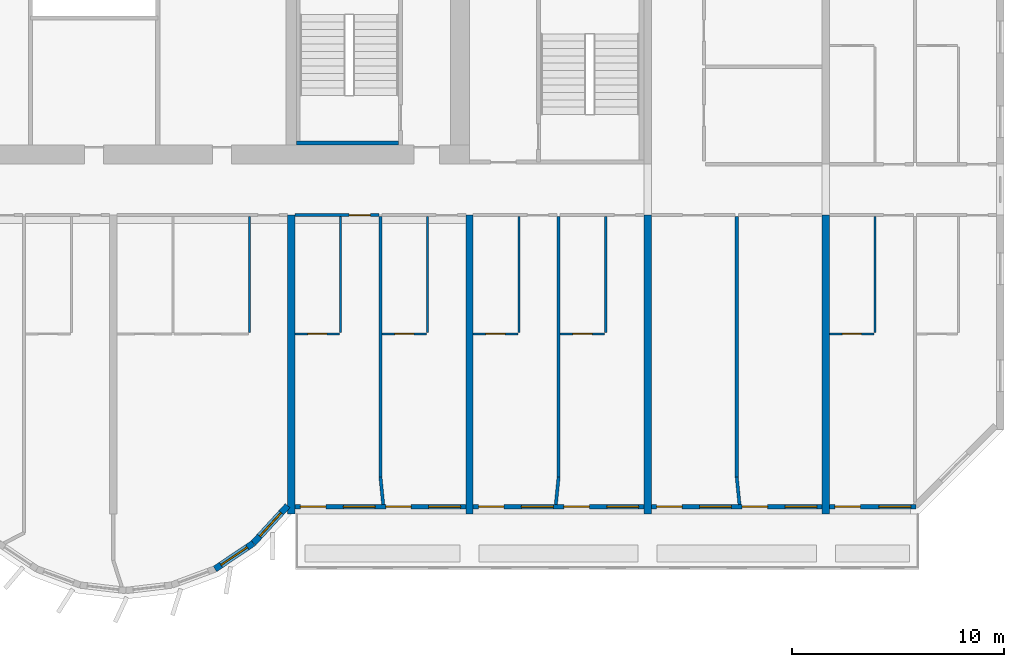
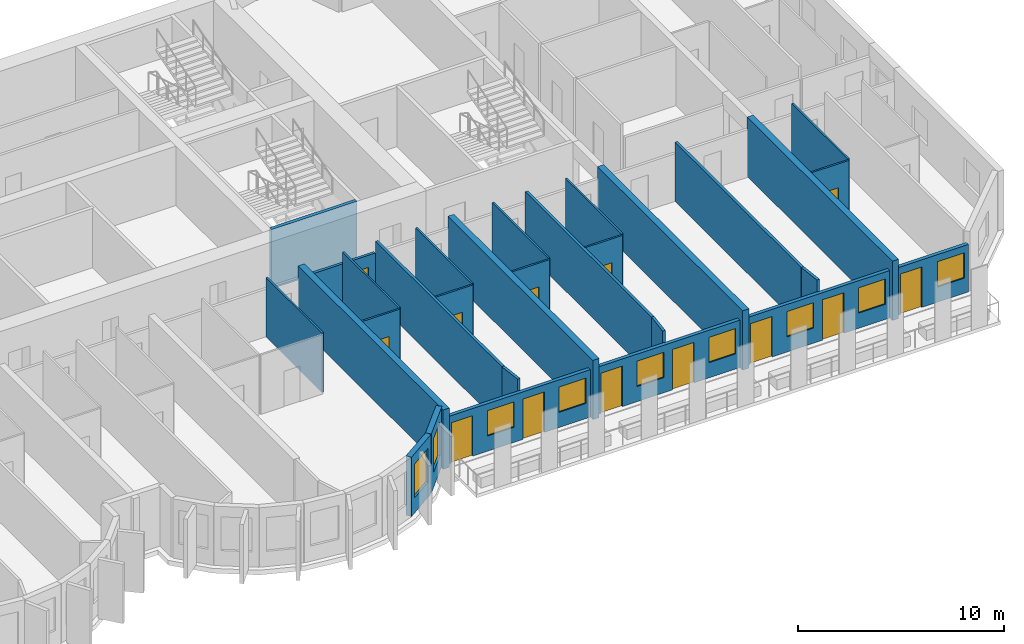
# One storey, part 8 of 14: 29 walls, 13 doors, 9 windows, 22 openings.
"""IFC4 building model written with IfcOpenShell, lengths in metres."""

from ifc_helpers import new_model, si_unit, direction, frame, frame_2d, origin, place, context, subcontext, project, spatial, rectangle, extrude, source, transform, mapped, material, layer, layer_set, type_object, element, fill, save


model = new_model("IFC4")

# Units and contexts
model_context = context("Model", 3, precision=1e-05, world=origin(), true_north=direction((0.0, 1.0)))
body_context = subcontext(model_context, "Body", "Model", "MODEL_VIEW")
ifc_project = project(units=[si_unit("LENGTHUNIT", "METRE"), si_unit("AREAUNIT", "SQUARE_METRE"), si_unit("VOLUMEUNIT", "CUBIC_METRE"), si_unit("PLANEANGLEUNIT", "RADIAN"), si_unit("MASSUNIT", "GRAM", prefix="KILO")], contexts=[model_context])

# Site, building, storey
site_placement = place(None, origin())
site = spatial("IfcSite", under=ifc_project, at=site_placement, CompositionType="ELEMENT")
building_placement = place(site_placement, origin())
building = spatial("IfcBuilding", under=site, at=building_placement, Name="Vanashikhar Sky Hotel", CompositionType="ELEMENT")
storey_placement = place(building_placement, frame((0.0, 0.0, 99.0)))
storey = spatial("IfcBuildingStorey", under=building, at=storey_placement, Name="L23", CompositionType="ELEMENT", Elevation=99.0)

# Walls
ifc_material_1 = material(Name="Concrete M70", Category="concrete")
ifc_layer_1 = layer(ifc_material_1, 0.35009765625)
ifc_layer_set_1 = layer_set([ifc_layer_1], Name="RC shear wall 350 Concrete M70")
wall_type_1 = type_object("IfcWallType", Name="RC shear wall 350 Concrete M70", PredefinedType="SHEAR", material=ifc_layer_set_1)
shared_shape_1 = source(origin(), body_context, "Body", "SweptSolid", [
    extrude(rectangle(XDim=14.10009765625, YDim=0.35009765625, at=frame_2d((7.050048828125, 0.0))), origin(), (0.0, 0.0, 1.0), 3.52001953125),
])
for number, where, z_axis, x_axis, name in (
    (1, (67.199951171875, 5.5, 0.0), (0.0, 0.0, 1.0), (0.0, 1.0, 0.0), "CW-L23-XW09-1"),
    (2, (75.60009765625, 5.5, 0.0), (0.0, 0.0, 1.0), (0.0, 1.0, 0.0), "CW-L23-XW10-1"),
    (3, (84.0, 5.5, 0.0), (0.0, 0.0, 1.0), (0.0, 1.0, 0.0), "CW-L23-XW11-1"),
    (4, (92.39990234375, 5.5, 0.0), (0.0, 0.0, 1.0), (0.0, 1.0, 0.0), "CW-L23-XW12-1"),
):
    element("IfcWall", number, at=place(storey_placement, frame(where, z_axis=z_axis, x_axis=x_axis)), inside=storey, type_object=wall_type_1, Name=name, PredefinedType="SHEAR", context=body_context, shape_type="MappedRepresentation", body=[
        mapped(shared_shape_1, transform((0.0, 0.0, 0.0), scale=1.0)),
    ])

# Wall, opening, window
ifc_material_2 = material(Name="Concrete M50", Category="concrete")
ifc_layer_2 = layer(ifc_material_2, 0.300048828125)
ifc_layer_set_2 = layer_set([ifc_layer_2], Name="Lobe wall 300")
wall_type_2 = type_object("IfcWallType", Name="Lobe wall 300", PredefinedType="SOLIDWALL", material=ifc_layer_set_2)
shared_shape_2 = source(origin(), body_context, "Body", "SweptSolid", [
    extrude(rectangle(XDim=2.398193359375, YDim=0.300048828125, at=frame_2d((1.19921875, 0.0))), origin(), (0.0, 0.0, 1.0), 3.52001953125),
])
wall_1_placement = place(storey_placement, frame((65.404296875, 4.13134765625, 0.0), z_axis=(0.0, 0.0, 1.0), x_axis=(0.675374189419, 0.737475222815, 0.0)))
wall_1 = element("IfcWall", 5, at=wall_1_placement, inside=storey, type_object=wall_type_2, Name="Lobe wall", PredefinedType="SOLIDWALL", context=body_context, shape_type="MappedRepresentation", body=[
    mapped(shared_shape_2, transform((0.0, 0.0, 0.0), scale=1.0)),
])
shared_shape_3 = source(origin(), body_context, "Body", "SweptSolid", [
    extrude(rectangle(XDim=1.5, YDim=2.0, at=frame_2d((0.75, 1.0))), frame((0.0, 0.16015625, 0.0), z_axis=(0.0, -1.0, 0.0), x_axis=(1.0, 0.0, 0.0)), (0.0, 0.0, 1.0), 0.320068359375),
])
opening_1_placement = place(wall_1_placement, frame((0.44921875, 0.0, 0.89990234375)))
opening_1 = element("IfcOpeningElement", 6, at=opening_1_placement, cuts=wall_1, Name="Opening WN-2", PredefinedType="OPENING", context=body_context, shape_type="MappedRepresentation", body=[
    mapped(shared_shape_3, transform((0.0, 0.0, 0.0), scale=1.0)),
])
ifc_material_3 = material(Name="Glass", Category="glass")
window_type_1 = type_object("IfcWindowType", Name="Lobe window 1500 x 2000", PartitioningType="SINGLE_PANEL", PredefinedType="WINDOW", material=ifc_material_3)
shared_shape_4 = source(origin(), body_context, "Body", "SweptSolid", [
    extrude(rectangle(XDim=1.5, YDim=2.0, at=frame_2d((0.75, 1.0))), frame((0.0, 0.030029296875, 0.0), z_axis=(0.0, -1.0, 0.0), x_axis=(1.0, 0.0, 0.0)), (0.0, 0.0, 1.0), 0.06005859375),
])
window_1_placement = place(opening_1_placement, origin())
window_1 = element("IfcWindow", 7, at=window_1_placement, inside=storey, type_object=window_type_1, Name="Window WN-2", OverallHeight=2.0, OverallWidth=1.5, PartitioningType="SINGLE_PANEL", PredefinedType="WINDOW", context=body_context, shape_type="MappedRepresentation", body=[
    mapped(shared_shape_4, transform((0.0, 0.0, 0.0), scale=1.0)),
])
fill(opening_1, window_1)

shared_shape_5 = source(origin(), body_context, "Body", "SweptSolid", [
    extrude(rectangle(XDim=2.17578125, YDim=0.300048828125, at=frame_2d((1.087890625, 0.0))), origin(), (0.0, 0.0, 1.0), 3.52001953125),
])
wall_2_placement = place(storey_placement, frame((63.59912109375, 2.91650390625, 0.0), z_axis=(0.0, 0.0, 1.0), x_axis=(0.829625727223, 0.558319937607, 0.0)))
wall_2 = element("IfcWall", 8, at=wall_2_placement, inside=storey, type_object=wall_type_2, Name="Lobe wall", PredefinedType="SOLIDWALL", context=body_context, shape_type="MappedRepresentation", body=[
    mapped(shared_shape_5, transform((0.0, 0.0, 0.0), scale=1.0)),
])
opening_2_placement = place(wall_2_placement, frame((0.337890625, 0.0, 0.89990234375)))
opening_2 = element("IfcOpeningElement", 9, at=opening_2_placement, cuts=wall_2, Name="Opening WN-2", PredefinedType="OPENING", context=body_context, shape_type="MappedRepresentation", body=[
    mapped(shared_shape_3, transform((0.0, 0.0, 0.0), scale=1.0)),
])
window_2_placement = place(opening_2_placement, origin())
window_2 = element("IfcWindow", 10, at=window_2_placement, inside=storey, type_object=window_type_1, Name="Window WN-2", OverallHeight=2.0, OverallWidth=1.5, PartitioningType="SINGLE_PANEL", PredefinedType="WINDOW", context=body_context, shape_type="MappedRepresentation", body=[
    mapped(shared_shape_4, transform((0.0, 0.0, 0.0), scale=1.0)),
])
fill(opening_2, window_2)

# Wall, openings, window, door
ifc_layer_3 = layer(ifc_material_2, 0.199951171875)
ifc_layer_set_3 = layer_set([ifc_layer_3], Name="Front window wall 200")
wall_type_3 = type_object("IfcWallType", Name="Front window wall 200", PredefinedType="SOLIDWALL", material=ifc_layer_set_3)
shared_shape_6 = source(origin(), body_context, "Body", "SweptSolid", [
    extrude(rectangle(XDim=4.080078125, YDim=0.199951171875, at=frame_2d((2.0400390625, 0.0))), origin(), (0.0, 0.0, 1.0), 2.820068359375),
])
wall_3_placement = place(storey_placement, frame((92.574951171875, 5.85009765625, 0.0), z_axis=(0.0, 0.0, 1.0), x_axis=(1.0, 0.0, 0.0)))
wall_3 = element("IfcWall", 11, at=wall_3_placement, inside=storey, type_object=wall_type_3, Name="Front window wall", PredefinedType="SOLIDWALL", context=body_context, shape_type="MappedRepresentation", body=[
    mapped(shared_shape_6, transform((0.0, 0.0, 0.0), scale=1.0)),
])
shared_shape_7 = source(origin(), body_context, "Body", "SweptSolid", [
    extrude(rectangle(XDim=1.199951171875, YDim=2.39990234375, at=frame_2d((0.60009765625, 1.199951171875))), frame((0.0, 0.10986328125, 0.0), z_axis=(0.0, -1.0, 0.0), x_axis=(1.0, 0.0, 0.0)), (0.0, 0.0, 1.0), 0.219970703125),
])
opening_3_placement = place(wall_3_placement, frame((0.25, 0.0, 0.0)))
opening_3 = element("IfcOpeningElement", 12, at=opening_3_placement, cuts=wall_3, Name="Opening BD-14", PredefinedType="OPENING", context=body_context, shape_type="MappedRepresentation", body=[
    mapped(shared_shape_7, transform((0.0, 0.0, 0.0), scale=1.0)),
])
shared_shape_8 = source(origin(), body_context, "Body", "SweptSolid", [
    extrude(rectangle(XDim=1.5, YDim=1.5, at=frame_2d((0.75, 0.75))), frame((0.0, 0.10986328125, 0.0), z_axis=(0.0, -1.0, 0.0), x_axis=(1.0, 0.0, 0.0)), (0.0, 0.0, 1.0), 0.219970703125),
])
opening_4_placement = place(wall_3_placement, frame((2.330078125, 0.0, 0.89990234375)))
opening_4 = element("IfcOpeningElement", 13, at=opening_4_placement, cuts=wall_3, Name="Opening WN-1", PredefinedType="OPENING", context=body_context, shape_type="MappedRepresentation", body=[
    mapped(shared_shape_8, transform((0.0, 0.0, 0.0), scale=1.0)),
])
window_type_2 = type_object("IfcWindowType", Name="Window 1500 x 1500", PartitioningType="SINGLE_PANEL", PredefinedType="WINDOW", material=ifc_material_3)
shared_shape_9 = source(origin(), body_context, "Body", "SweptSolid", [
    extrude(rectangle(XDim=1.5, YDim=1.5, at=frame_2d((0.75, 0.75))), frame((0.0, 0.030029296875, 0.0), z_axis=(0.0, -1.0, 0.0), x_axis=(1.0, 0.0, 0.0)), (0.0, 0.0, 1.0), 0.06005859375),
])
window_3_placement = place(opening_4_placement, origin())
window_3 = element("IfcWindow", 14, at=window_3_placement, inside=storey, type_object=window_type_2, Name="Window WN-1", OverallHeight=1.5, OverallWidth=1.5, PartitioningType="SINGLE_PANEL", PredefinedType="WINDOW", context=body_context, shape_type="MappedRepresentation", body=[
    mapped(shared_shape_9, transform((0.0, 0.0, 0.0), scale=1.0)),
])
fill(opening_4, window_3)
ifc_material_4 = material(Name="Aluminium", Category="aluminium")
door_type_1 = type_object("IfcDoorType", Name="Balcony sliding door 1200 x 2400", OperationType="NOTDEFINED", PredefinedType="DOOR", material=ifc_material_4)
shared_shape_10 = source(origin(), body_context, "Body", "SweptSolid", [
    extrude(rectangle(XDim=1.199951171875, YDim=2.39990234375, at=frame_2d((0.60009765625, 1.199951171875))), frame((0.0, 0.02490234375, 0.0), z_axis=(0.0, -1.0, 0.0), x_axis=(1.0, 0.0, 0.0)), (0.0, 0.0, 1.0), 0.050048828125),
])
door_1_placement = place(opening_3_placement, origin())
door_1 = element("IfcDoor", 15, at=door_1_placement, inside=storey, type_object=door_type_1, Name="Balcony sliding door", OperationType="SLIDING_TO_RIGHT", OverallHeight=2.39990234375, OverallWidth=1.199951171875, PredefinedType="DOOR", context=body_context, shape_type="MappedRepresentation", body=[
    mapped(shared_shape_10, transform((0.0, 0.0, 0.0), scale=1.0)),
])
fill(opening_3, door_1)

# Wall, openings, windows, doors
shared_shape_11 = source(origin(), body_context, "Body", "SweptSolid", [
    extrude(rectangle(XDim=8.050048828125, YDim=0.199951171875, at=frame_2d((4.02490234375, 0.0))), origin(), (0.0, 0.0, 1.0), 2.820068359375),
])
wall_4_placement = place(storey_placement, frame((67.375, 5.85009765625, 0.0), z_axis=(0.0, 0.0, 1.0), x_axis=(1.0, 0.0, 0.0)))
wall_4 = element("IfcWall", 16, at=wall_4_placement, inside=storey, type_object=wall_type_3, Name="Front window wall", PredefinedType="SOLIDWALL", context=body_context, shape_type="MappedRepresentation", body=[
    mapped(shared_shape_11, transform((0.0, 0.0, 0.0), scale=1.0)),
])
opening_5_placement = place(wall_4_placement, frame((0.25, 0.0, 0.0)))
opening_5 = element("IfcOpeningElement", 17, at=opening_5_placement, cuts=wall_4, Name="Opening BD-08", PredefinedType="OPENING", context=body_context, shape_type="MappedRepresentation", body=[
    mapped(shared_shape_7, transform((0.0, 0.0, 0.0), scale=1.0)),
])
opening_6_placement = place(wall_4_placement, frame((2.27490234375, 0.0, 0.89990234375)))
opening_6 = element("IfcOpeningElement", 18, at=opening_6_placement, cuts=wall_4, Name="Opening WN-1", PredefinedType="OPENING", context=body_context, shape_type="MappedRepresentation", body=[
    mapped(shared_shape_8, transform((0.0, 0.0, 0.0), scale=1.0)),
])
opening_7_placement = place(wall_4_placement, frame((4.27490234375, 0.0, 0.0)))
opening_7 = element("IfcOpeningElement", 19, at=opening_7_placement, cuts=wall_4, Name="Opening BD-09", PredefinedType="OPENING", context=body_context, shape_type="MappedRepresentation", body=[
    mapped(shared_shape_7, transform((0.0, 0.0, 0.0), scale=1.0)),
])
opening_8_placement = place(wall_4_placement, frame((6.300048828125, 0.0, 0.89990234375)))
opening_8 = element("IfcOpeningElement", 20, at=opening_8_placement, cuts=wall_4, Name="Opening WN-1", PredefinedType="OPENING", context=body_context, shape_type="MappedRepresentation", body=[
    mapped(shared_shape_8, transform((0.0, 0.0, 0.0), scale=1.0)),
])
window_4_placement = place(opening_6_placement, origin())
window_4 = element("IfcWindow", 21, at=window_4_placement, inside=storey, type_object=window_type_2, Name="Window WN-1", OverallHeight=1.5, OverallWidth=1.5, PartitioningType="SINGLE_PANEL", PredefinedType="WINDOW", context=body_context, shape_type="MappedRepresentation", body=[
    mapped(shared_shape_9, transform((0.0, 0.0, 0.0), scale=1.0)),
])
fill(opening_6, window_4)
window_5_placement = place(opening_8_placement, origin())
window_5 = element("IfcWindow", 22, at=window_5_placement, inside=storey, type_object=window_type_2, Name="Window WN-1", OverallHeight=1.5, OverallWidth=1.5, PartitioningType="SINGLE_PANEL", PredefinedType="WINDOW", context=body_context, shape_type="MappedRepresentation", body=[
    mapped(shared_shape_9, transform((0.0, 0.0, 0.0), scale=1.0)),
])
fill(opening_8, window_5)
door_2_placement = place(opening_5_placement, origin())
door_2 = element("IfcDoor", 23, at=door_2_placement, inside=storey, type_object=door_type_1, Name="Balcony sliding door", OperationType="SLIDING_TO_RIGHT", OverallHeight=2.39990234375, OverallWidth=1.199951171875, PredefinedType="DOOR", context=body_context, shape_type="MappedRepresentation", body=[
    mapped(shared_shape_10, transform((0.0, 0.0, 0.0), scale=1.0)),
])
fill(opening_5, door_2)
door_3_placement = place(opening_7_placement, origin())
door_3 = element("IfcDoor", 24, at=door_3_placement, inside=storey, type_object=door_type_1, Name="Balcony sliding door", OperationType="SLIDING_TO_LEFT", OverallHeight=2.39990234375, OverallWidth=1.199951171875, PredefinedType="DOOR", context=body_context, shape_type="MappedRepresentation", body=[
    mapped(shared_shape_10, transform((0.0, 0.0, 0.0), scale=1.0)),
])
fill(opening_7, door_3)

wall_5_placement = place(storey_placement, frame((75.77490234375, 5.85009765625, 0.0), z_axis=(0.0, 0.0, 1.0), x_axis=(1.0, 0.0, 0.0)))
wall_5 = element("IfcWall", 25, at=wall_5_placement, inside=storey, type_object=wall_type_3, Name="Front window wall", PredefinedType="SOLIDWALL", context=body_context, shape_type="MappedRepresentation", body=[
    mapped(shared_shape_11, transform((0.0, 0.0, 0.0), scale=1.0)),
])
opening_9_placement = place(wall_5_placement, frame((0.25, 0.0, 0.0)))
opening_9 = element("IfcOpeningElement", 26, at=opening_9_placement, cuts=wall_5, Name="Opening BD-10", PredefinedType="OPENING", context=body_context, shape_type="MappedRepresentation", body=[
    mapped(shared_shape_7, transform((0.0, 0.0, 0.0), scale=1.0)),
])
opening_10_placement = place(wall_5_placement, frame((2.27490234375, 0.0, 0.89990234375)))
opening_10 = element("IfcOpeningElement", 27, at=opening_10_placement, cuts=wall_5, Name="Opening WN-1", PredefinedType="OPENING", context=body_context, shape_type="MappedRepresentation", body=[
    mapped(shared_shape_8, transform((0.0, 0.0, 0.0), scale=1.0)),
])
opening_11_placement = place(wall_5_placement, frame((4.27490234375, 0.0, 0.0)))
opening_11 = element("IfcOpeningElement", 28, at=opening_11_placement, cuts=wall_5, Name="Opening BD-11", PredefinedType="OPENING", context=body_context, shape_type="MappedRepresentation", body=[
    mapped(shared_shape_7, transform((0.0, 0.0, 0.0), scale=1.0)),
])
opening_12_placement = place(wall_5_placement, frame((6.300048828125, 0.0, 0.89990234375)))
opening_12 = element("IfcOpeningElement", 29, at=opening_12_placement, cuts=wall_5, Name="Opening WN-1", PredefinedType="OPENING", context=body_context, shape_type="MappedRepresentation", body=[
    mapped(shared_shape_8, transform((0.0, 0.0, 0.0), scale=1.0)),
])
window_6_placement = place(opening_10_placement, origin())
window_6 = element("IfcWindow", 30, at=window_6_placement, inside=storey, type_object=window_type_2, Name="Window WN-1", OverallHeight=1.5, OverallWidth=1.5, PartitioningType="SINGLE_PANEL", PredefinedType="WINDOW", context=body_context, shape_type="MappedRepresentation", body=[
    mapped(shared_shape_9, transform((0.0, 0.0, 0.0), scale=1.0)),
])
fill(opening_10, window_6)
window_7_placement = place(opening_12_placement, origin())
window_7 = element("IfcWindow", 31, at=window_7_placement, inside=storey, type_object=window_type_2, Name="Window WN-1", OverallHeight=1.5, OverallWidth=1.5, PartitioningType="SINGLE_PANEL", PredefinedType="WINDOW", context=body_context, shape_type="MappedRepresentation", body=[
    mapped(shared_shape_9, transform((0.0, 0.0, 0.0), scale=1.0)),
])
fill(opening_12, window_7)
door_4_placement = place(opening_9_placement, origin())
door_4 = element("IfcDoor", 32, at=door_4_placement, inside=storey, type_object=door_type_1, Name="Balcony sliding door", OperationType="SLIDING_TO_RIGHT", OverallHeight=2.39990234375, OverallWidth=1.199951171875, PredefinedType="DOOR", context=body_context, shape_type="MappedRepresentation", body=[
    mapped(shared_shape_10, transform((0.0, 0.0, 0.0), scale=1.0)),
])
fill(opening_9, door_4)
door_5_placement = place(opening_11_placement, origin())
door_5 = element("IfcDoor", 33, at=door_5_placement, inside=storey, type_object=door_type_1, Name="Balcony sliding door", OperationType="SLIDING_TO_LEFT", OverallHeight=2.39990234375, OverallWidth=1.199951171875, PredefinedType="DOOR", context=body_context, shape_type="MappedRepresentation", body=[
    mapped(shared_shape_10, transform((0.0, 0.0, 0.0), scale=1.0)),
])
fill(opening_11, door_5)

wall_6_placement = place(storey_placement, frame((84.175048828125, 5.85009765625, 0.0), z_axis=(0.0, 0.0, 1.0), x_axis=(1.0, 0.0, 0.0)))
wall_6 = element("IfcWall", 34, at=wall_6_placement, inside=storey, type_object=wall_type_3, Name="Front window wall", PredefinedType="SOLIDWALL", context=body_context, shape_type="MappedRepresentation", body=[
    mapped(shared_shape_11, transform((0.0, 0.0, 0.0), scale=1.0)),
])
opening_13_placement = place(wall_6_placement, frame((0.25, 0.0, 0.0)))
opening_13 = element("IfcOpeningElement", 35, at=opening_13_placement, cuts=wall_6, Name="Opening BD-12", PredefinedType="OPENING", context=body_context, shape_type="MappedRepresentation", body=[
    mapped(shared_shape_7, transform((0.0, 0.0, 0.0), scale=1.0)),
])
opening_14_placement = place(wall_6_placement, frame((2.27490234375, 0.0, 0.89990234375)))
opening_14 = element("IfcOpeningElement", 36, at=opening_14_placement, cuts=wall_6, Name="Opening WN-1", PredefinedType="OPENING", context=body_context, shape_type="MappedRepresentation", body=[
    mapped(shared_shape_8, transform((0.0, 0.0, 0.0), scale=1.0)),
])
opening_15_placement = place(wall_6_placement, frame((4.27490234375, 0.0, 0.0)))
opening_15 = element("IfcOpeningElement", 37, at=opening_15_placement, cuts=wall_6, Name="Opening BD-13", PredefinedType="OPENING", context=body_context, shape_type="MappedRepresentation", body=[
    mapped(shared_shape_7, transform((0.0, 0.0, 0.0), scale=1.0)),
])
opening_16_placement = place(wall_6_placement, frame((6.300048828125, 0.0, 0.89990234375)))
opening_16 = element("IfcOpeningElement", 38, at=opening_16_placement, cuts=wall_6, Name="Opening WN-1", PredefinedType="OPENING", context=body_context, shape_type="MappedRepresentation", body=[
    mapped(shared_shape_8, transform((0.0, 0.0, 0.0), scale=1.0)),
])
window_8_placement = place(opening_14_placement, origin())
window_8 = element("IfcWindow", 39, at=window_8_placement, inside=storey, type_object=window_type_2, Name="Window WN-1", OverallHeight=1.5, OverallWidth=1.5, PartitioningType="SINGLE_PANEL", PredefinedType="WINDOW", context=body_context, shape_type="MappedRepresentation", body=[
    mapped(shared_shape_9, transform((0.0, 0.0, 0.0), scale=1.0)),
])
fill(opening_14, window_8)
window_9_placement = place(opening_16_placement, origin())
window_9 = element("IfcWindow", 40, at=window_9_placement, inside=storey, type_object=window_type_2, Name="Window WN-1", OverallHeight=1.5, OverallWidth=1.5, PartitioningType="SINGLE_PANEL", PredefinedType="WINDOW", context=body_context, shape_type="MappedRepresentation", body=[
    mapped(shared_shape_9, transform((0.0, 0.0, 0.0), scale=1.0)),
])
fill(opening_16, window_9)
door_6_placement = place(opening_13_placement, origin())
door_6 = element("IfcDoor", 41, at=door_6_placement, inside=storey, type_object=door_type_1, Name="Balcony sliding door", OperationType="SLIDING_TO_RIGHT", OverallHeight=2.39990234375, OverallWidth=1.199951171875, PredefinedType="DOOR", context=body_context, shape_type="MappedRepresentation", body=[
    mapped(shared_shape_10, transform((0.0, 0.0, 0.0), scale=1.0)),
])
fill(opening_13, door_6)
door_7_placement = place(opening_15_placement, origin())
door_7 = element("IfcDoor", 42, at=door_7_placement, inside=storey, type_object=door_type_1, Name="Balcony sliding door", OperationType="SLIDING_TO_LEFT", OverallHeight=2.39990234375, OverallWidth=1.199951171875, PredefinedType="DOOR", context=body_context, shape_type="MappedRepresentation", body=[
    mapped(shared_shape_10, transform((0.0, 0.0, 0.0), scale=1.0)),
])
fill(opening_15, door_7)

# Walls
ifc_layer_4 = layer(ifc_material_2, 0.199951171875)
ifc_layer_set_4 = layer_set([ifc_layer_4], Name="Stair infill wall 200")
wall_type_4 = type_object("IfcWallType", Name="Stair infill wall 200", PredefinedType="SOLIDWALL", material=ifc_layer_set_4)
shared_shape_12 = source(origin(), body_context, "Body", "SweptSolid", [
    extrude(rectangle(XDim=4.800048828125, YDim=0.199951171875, at=frame_2d((2.39990234375, 0.0))), origin(), (0.0, 0.0, 1.0), 3.52001953125),
])
wall_7_placement = place(storey_placement, frame((67.449951171875, 23.0, 0.0), z_axis=(0.0, 0.0, 1.0), x_axis=(1.0, 0.0, 0.0)))
element("IfcWall", 43, at=wall_7_placement, inside=storey, type_object=wall_type_4, Name="Stair infill wall 200", PredefinedType="SOLIDWALL", context=body_context, shape_type="MappedRepresentation", body=[
    mapped(shared_shape_12, transform((0.0, 0.0, 0.0), scale=1.0)),
])
ifc_material_5 = material(Name="Gypsum plasterboard partition")
ifc_layer_5 = layer(ifc_material_5, 0.10009765625)
ifc_layer_set_5 = layer_set([ifc_layer_5], Name="Wet room partition 100")
wall_type_5 = type_object("IfcWallType", Name="Wet room partition 100", PredefinedType="PARTITIONING", material=ifc_layer_set_5)
shared_shape_13 = source(origin(), body_context, "Body", "SweptSolid", [
    extrude(rectangle(XDim=5.449951171875, YDim=0.10009765625, at=frame_2d((2.72509765625, 0.0))), origin(), (0.0, 0.0, 1.0), 3.52001953125),
])
for number, where, z_axis, x_axis, name in (
    (44, (65.22509765625, 14.074951171875, 0.0), (0.0, 0.0, 1.0), (0.0, 1.0, 0.0), "W-L23-PW042"),
    (45, (69.52490234375, 14.074951171875, 0.0), (0.0, 0.0, 1.0), (0.0, 1.0, 0.0), "W-L23-PW047"),
    (46, (73.625, 14.074951171875, 0.0), (0.0, 0.0, 1.0), (0.0, 1.0, 0.0), "W-L23-PW050"),
    (47, (77.925048828125, 14.074951171875, 0.0), (0.0, 0.0, 1.0), (0.0, 1.0, 0.0), "W-L23-PW054"),
    (48, (82.02490234375, 14.074951171875, 0.0), (0.0, 0.0, 1.0), (0.0, 1.0, 0.0), "W-L23-PW057"),
    (49, (94.72509765625, 14.074951171875, 0.0), (0.0, 0.0, 1.0), (0.0, 1.0, 0.0), "W-L23-PW064"),
):
    element("IfcWall", number, at=place(storey_placement, frame(where, z_axis=z_axis, x_axis=x_axis)), inside=storey, type_object=wall_type_5, Name=name, PredefinedType="PARTITIONING", context=body_context, shape_type="MappedRepresentation", body=[
        mapped(shared_shape_13, transform((0.0, 0.0, 0.0), scale=1.0)),
    ])

# Wall, opening, door
shared_shape_14 = source(origin(), body_context, "Body", "SweptSolid", [
    extrude(rectangle(XDim=2.10009765625, YDim=0.10009765625, at=frame_2d((1.050048828125, 0.0))), origin(), (0.0, 0.0, 1.0), 3.52001953125),
])
wall_8_placement = place(storey_placement, frame((67.375, 14.0, 0.0), z_axis=(0.0, 0.0, 1.0), x_axis=(1.0, 0.0, 0.0)))
wall_8 = element("IfcWall", 50, at=wall_8_placement, inside=storey, type_object=wall_type_5, Name="W-L23-PW048", PredefinedType="PARTITIONING", context=body_context, shape_type="MappedRepresentation", body=[
    mapped(shared_shape_14, transform((0.0, 0.0, 0.0), scale=1.0)),
])
shared_shape_15 = source(origin(), body_context, "Body", "SweptSolid", [
    extrude(rectangle(XDim=0.89990234375, YDim=2.10009765625, at=frame_2d((0.449951171875, 1.050048828125))), frame((0.0, 0.06005859375, 0.0), z_axis=(0.0, -1.0, 0.0), x_axis=(1.0, 0.0, 0.0)), (0.0, 0.0, 1.0), 0.1201171875),
])
opening_17_placement = place(wall_8_placement, frame((0.60009765625, 0.0, 0.0)))
opening_17 = element("IfcOpeningElement", 51, at=opening_17_placement, cuts=wall_8, Name="Opening D-02", PredefinedType="OPENING", context=body_context, shape_type="MappedRepresentation", body=[
    mapped(shared_shape_15, transform((0.0, 0.0, 0.0), scale=1.0)),
])
ifc_material_6 = material(Name="Timber door", Category="wood")
door_type_2 = type_object("IfcDoorType", Name="Internal door 900", OperationType="NOTDEFINED", PredefinedType="DOOR", material=ifc_material_6)
shared_shape_16 = source(origin(), body_context, "Body", "SweptSolid", [
    extrude(rectangle(XDim=0.89990234375, YDim=2.10009765625, at=frame_2d((0.449951171875, 1.050048828125))), frame((0.0, 0.02490234375, 0.0), z_axis=(0.0, -1.0, 0.0), x_axis=(1.0, 0.0, 0.0)), (0.0, 0.0, 1.0), 0.050048828125),
])
door_8_placement = place(opening_17_placement, origin())
door_8 = element("IfcDoor", 52, at=door_8_placement, inside=storey, type_object=door_type_2, Name="D-L23-028", OperationType="SINGLE_SWING_RIGHT", OverallHeight=2.10009765625, OverallWidth=0.89990234375, PredefinedType="DOOR", context=body_context, shape_type="MappedRepresentation", body=[
    mapped(shared_shape_16, transform((0.0, 0.0, 0.0), scale=1.0)),
])
fill(opening_17, door_8)

wall_9_placement = place(storey_placement, frame((75.77490234375, 14.0, 0.0), z_axis=(0.0, 0.0, 1.0), x_axis=(1.0, 0.0, 0.0)))
wall_9 = element("IfcWall", 53, at=wall_9_placement, inside=storey, type_object=wall_type_5, Name="W-L23-PW055", PredefinedType="PARTITIONING", context=body_context, shape_type="MappedRepresentation", body=[
    mapped(shared_shape_14, transform((0.0, 0.0, 0.0), scale=1.0)),
])
opening_18_placement = place(wall_9_placement, frame((0.60009765625, 0.0, 0.0)))
opening_18 = element("IfcOpeningElement", 54, at=opening_18_placement, cuts=wall_9, Name="Opening D-02", PredefinedType="OPENING", context=body_context, shape_type="MappedRepresentation", body=[
    mapped(shared_shape_15, transform((0.0, 0.0, 0.0), scale=1.0)),
])
door_9_placement = place(opening_18_placement, origin())
door_9 = element("IfcDoor", 55, at=door_9_placement, inside=storey, type_object=door_type_2, Name="D-L23-032", OperationType="SINGLE_SWING_RIGHT", OverallHeight=2.10009765625, OverallWidth=0.89990234375, PredefinedType="DOOR", context=body_context, shape_type="MappedRepresentation", body=[
    mapped(shared_shape_16, transform((0.0, 0.0, 0.0), scale=1.0)),
])
fill(opening_18, door_9)

wall_10_placement = place(storey_placement, frame((79.875, 14.0, 0.0), z_axis=(0.0, 0.0, 1.0), x_axis=(1.0, 0.0, 0.0)))
wall_10 = element("IfcWall", 56, at=wall_10_placement, inside=storey, type_object=wall_type_5, Name="W-L23-PW058", PredefinedType="PARTITIONING", context=body_context, shape_type="MappedRepresentation", body=[
    mapped(shared_shape_14, transform((0.0, 0.0, 0.0), scale=1.0)),
])
opening_19_placement = place(wall_10_placement, frame((0.60009765625, 0.0, 0.0)))
opening_19 = element("IfcOpeningElement", 57, at=opening_19_placement, cuts=wall_10, Name="Opening D-02", PredefinedType="OPENING", context=body_context, shape_type="MappedRepresentation", body=[
    mapped(shared_shape_15, transform((0.0, 0.0, 0.0), scale=1.0)),
])
door_10_placement = place(opening_19_placement, origin())
door_10 = element("IfcDoor", 58, at=door_10_placement, inside=storey, type_object=door_type_2, Name="D-L23-034", OperationType="SINGLE_SWING_RIGHT", OverallHeight=2.10009765625, OverallWidth=0.89990234375, PredefinedType="DOOR", context=body_context, shape_type="MappedRepresentation", body=[
    mapped(shared_shape_16, transform((0.0, 0.0, 0.0), scale=1.0)),
])
fill(opening_19, door_10)

wall_11_placement = place(storey_placement, frame((92.574951171875, 14.0, 0.0), z_axis=(0.0, 0.0, 1.0), x_axis=(1.0, 0.0, 0.0)))
wall_11 = element("IfcWall", 59, at=wall_11_placement, inside=storey, type_object=wall_type_5, Name="W-L23-PW065", PredefinedType="PARTITIONING", context=body_context, shape_type="MappedRepresentation", body=[
    mapped(shared_shape_14, transform((0.0, 0.0, 0.0), scale=1.0)),
])
opening_20_placement = place(wall_11_placement, frame((0.60009765625, 0.0, 0.0)))
opening_20 = element("IfcOpeningElement", 60, at=opening_20_placement, cuts=wall_11, Name="Opening D-02", PredefinedType="OPENING", context=body_context, shape_type="MappedRepresentation", body=[
    mapped(shared_shape_15, transform((0.0, 0.0, 0.0), scale=1.0)),
])
door_11_placement = place(opening_20_placement, origin())
door_11 = element("IfcDoor", 61, at=door_11_placement, inside=storey, type_object=door_type_2, Name="D-L23-038", OperationType="SINGLE_SWING_RIGHT", OverallHeight=2.10009765625, OverallWidth=0.89990234375, PredefinedType="DOOR", context=body_context, shape_type="MappedRepresentation", body=[
    mapped(shared_shape_16, transform((0.0, 0.0, 0.0), scale=1.0)),
])
fill(opening_20, door_11)

ifc_layer_6 = layer(ifc_material_5, 0.14990234375)
ifc_layer_set_6 = layer_set([ifc_layer_6], Name="Corridor and demising partition 150")
wall_type_6 = type_object("IfcWallType", Name="Corridor and demising partition 150", PredefinedType="PARTITIONING", material=ifc_layer_set_6)
shared_shape_17 = source(origin(), body_context, "Body", "SweptSolid", [
    extrude(rectangle(XDim=3.949951171875, YDim=0.14990234375, at=frame_2d((1.97509765625, 0.0))), origin(), (0.0, 0.0, 1.0), 2.820068359375),
])
wall_12_placement = place(storey_placement, frame((67.375, 19.60009765625, 0.0), z_axis=(0.0, 0.0, 1.0), x_axis=(1.0, 0.0, 0.0)))
wall_12 = element("IfcWall", 62, at=wall_12_placement, inside=storey, type_object=wall_type_6, Name="W-L23-PW049", PredefinedType="PARTITIONING", context=body_context, shape_type="MappedRepresentation", body=[
    mapped(shared_shape_17, transform((0.0, 0.0, 0.0), scale=1.0)),
])
shared_shape_18 = source(origin(), body_context, "Body", "SweptSolid", [
    extrude(rectangle(XDim=1.0, YDim=2.10009765625, at=frame_2d((0.5, 1.050048828125))), frame((0.0, 0.0849609375, 0.0), z_axis=(0.0, -1.0, 0.0), x_axis=(1.0, 0.0, 0.0)), (0.0, 0.0, 1.0), 0.169921875),
])
opening_21_placement = place(wall_12_placement, frame((2.550048828125, 0.0, 0.0)))
opening_21 = element("IfcOpeningElement", 63, at=opening_21_placement, cuts=wall_12, Name="Opening D-01", PredefinedType="OPENING", context=body_context, shape_type="MappedRepresentation", body=[
    mapped(shared_shape_18, transform((0.0, 0.0, 0.0), scale=1.0)),
])
ifc_material_7 = material(Name="Timber fire door", Category="wood")
door_type_3 = type_object("IfcDoorType", Name="Guest entry door 1000 FD30S", OperationType="NOTDEFINED", PredefinedType="DOOR", material=ifc_material_7)
shared_shape_19 = source(origin(), body_context, "Body", "SweptSolid", [
    extrude(rectangle(XDim=1.0, YDim=2.10009765625, at=frame_2d((0.5, 1.050048828125))), frame((0.0, 0.02490234375, 0.0), z_axis=(0.0, -1.0, 0.0), x_axis=(1.0, 0.0, 0.0)), (0.0, 0.0, 1.0), 0.050048828125),
])
door_12_placement = place(opening_21_placement, origin())
door_12 = element("IfcDoor", 64, at=door_12_placement, inside=storey, type_object=door_type_3, Name="D-L23-029", OperationType="SINGLE_SWING_RIGHT", OverallHeight=2.10009765625, OverallWidth=1.0, PredefinedType="DOOR", context=body_context, shape_type="MappedRepresentation", body=[
    mapped(shared_shape_19, transform((0.0, 0.0, 0.0), scale=1.0)),
])
fill(opening_21, door_12)

shared_shape_20 = source(origin(), body_context, "Body", "SweptSolid", [
    extrude(rectangle(XDim=2.099853515625, YDim=0.10009765625, at=frame_2d((1.0498046875, 0.0))), origin(), (0.0, 0.0, 1.0), 3.52001953125),
])
wall_13_placement = place(storey_placement, frame((71.47509765625, 14.0, 0.0), z_axis=(0.0, 0.0, 1.0), x_axis=(1.0, 0.0, 0.0)))
wall_13 = element("IfcWall", 65, at=wall_13_placement, inside=storey, type_object=wall_type_5, Name="W-L23-PW051", PredefinedType="PARTITIONING", context=body_context, shape_type="MappedRepresentation", body=[
    mapped(shared_shape_20, transform((0.0, 0.0, 0.0), scale=1.0)),
])
opening_22_placement = place(wall_13_placement, frame((0.60009765625, 0.0, 0.0)))
opening_22 = element("IfcOpeningElement", 66, at=opening_22_placement, cuts=wall_13, Name="Opening D-02", PredefinedType="OPENING", context=body_context, shape_type="MappedRepresentation", body=[
    mapped(shared_shape_15, transform((0.0, 0.0, 0.0), scale=1.0)),
])
door_13_placement = place(opening_22_placement, origin())
door_13 = element("IfcDoor", 67, at=door_13_placement, inside=storey, type_object=door_type_2, Name="D-L23-030", OperationType="SINGLE_SWING_RIGHT", OverallHeight=2.10009765625, OverallWidth=0.89990234375, PredefinedType="DOOR", context=body_context, shape_type="MappedRepresentation", body=[
    mapped(shared_shape_16, transform((0.0, 0.0, 0.0), scale=1.0)),
])
fill(opening_22, door_13)

# Walls
shared_shape_21 = source(origin(), body_context, "Body", "SweptSolid", [
    extrude(rectangle(XDim=12.27490234375, YDim=0.14990234375, at=frame_2d((6.137451171875, 0.0))), origin(), (0.0, 0.0, 1.0), 3.52001953125),
])
for number, where, z_axis, x_axis, name in (
    (68, (71.39990234375, 7.25, 0.0), (0.0, 0.0, 1.0), (0.0, 1.0, 0.0), "W-L23-PW053"),
    (69, (79.800048828125, 7.25, 0.0), (0.0, 0.0, 1.0), (0.0, 1.0, 0.0), "W-L23-PW060"),
    (70, (88.199951171875, 7.25, 0.0), (0.0, 0.0, 1.0), (0.0, 1.0, 0.0), "W-L23-PW063"),
):
    element("IfcWall", number, at=place(storey_placement, frame(where, z_axis=z_axis, x_axis=x_axis)), inside=storey, type_object=wall_type_6, Name=name, PredefinedType="PARTITIONING", context=body_context, shape_type="MappedRepresentation", body=[
        mapped(shared_shape_21, transform((0.0, 0.0, 0.0), scale=1.0)),
    ])
shared_shape_22 = source(origin(), body_context, "Body", "SweptSolid", [
    extrude(rectangle(XDim=1.306640625, YDim=0.14990234375, at=frame_2d((0.6533203125, 0.0))), origin(), (0.0, 0.0, 1.0), 3.52001953125),
])
for number, where, z_axis, x_axis, name in (
    (71, (71.530029296875, 5.949951171875, 0.0), (0.0, 0.0, 1.0), (-0.099596223396, 0.99502793543, 0.0), "W-L23-PW053B0"),
    (72, (79.669921875, 5.949951171875, 0.0), (0.0, 0.0, 1.0), (0.099596223396, 0.99502793543, 0.0), "W-L23-PW060B0"),
    (73, (88.330078125, 5.949951171875, 0.0), (0.0, 0.0, 1.0), (-0.099596223396, 0.99502793543, 0.0), "W-L23-PW063B0"),
):
    element("IfcWall", number, at=place(storey_placement, frame(where, z_axis=z_axis, x_axis=x_axis)), inside=storey, type_object=wall_type_6, Name=name, PredefinedType="PARTITIONING", context=body_context, shape_type="MappedRepresentation", body=[
        mapped(shared_shape_22, transform((0.0, 0.0, 0.0), scale=1.0)),
    ])

save(model, "model.ifc")
